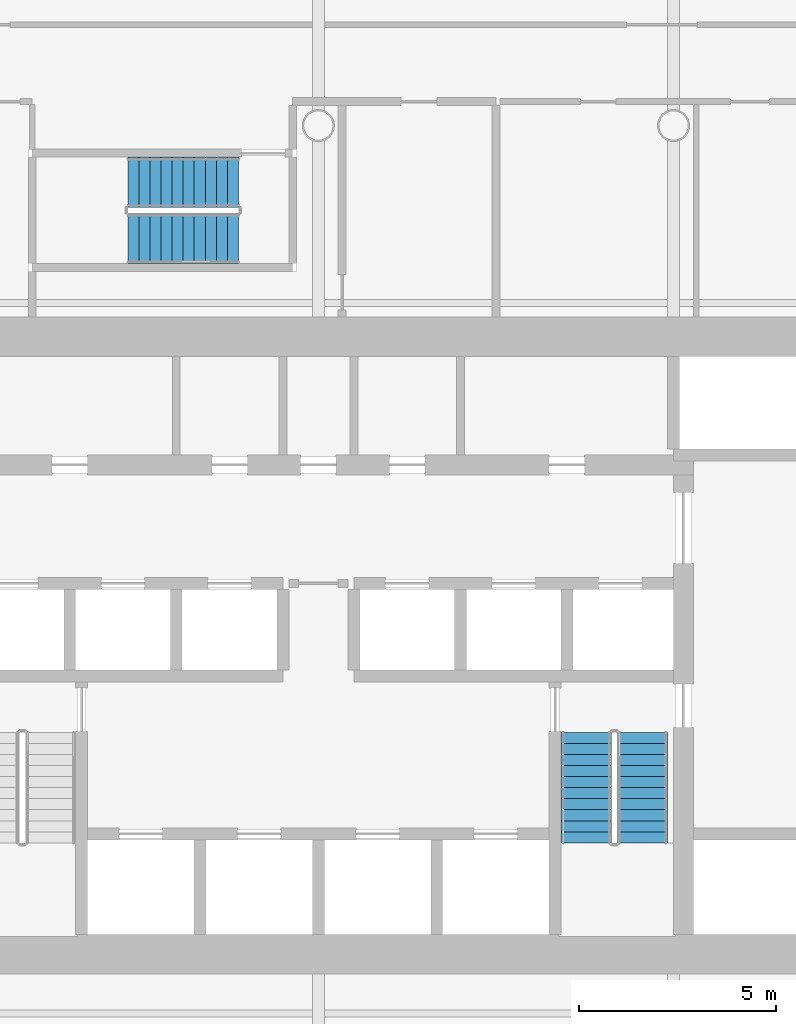
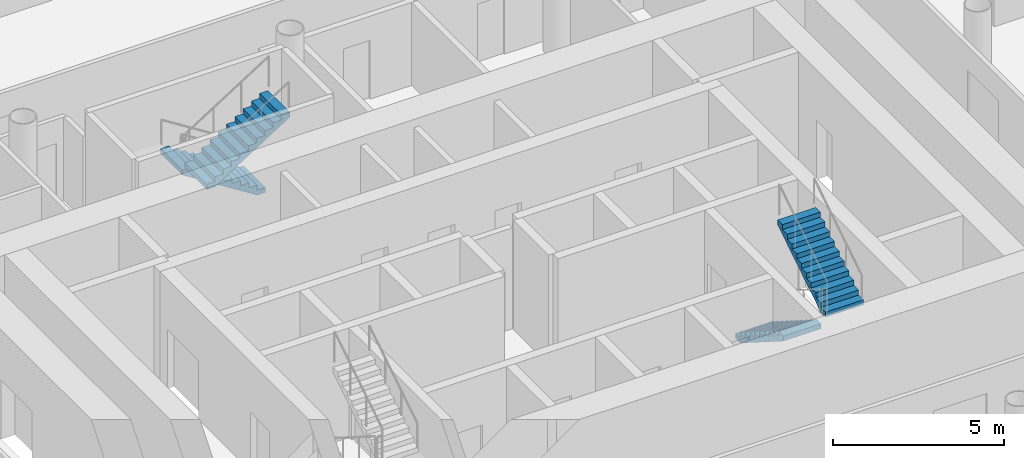
# One storey, part 14 of 19: 4 stair flights, 2 elements without a shape of their own.
"""IFC4 building model written with IfcOpenShell, lengths in metres."""

from ifc_helpers import new_model, si_unit, direction, frame, origin, place, context, subcontext, project, spatial, polyline, outline, extrude, material, type_object, element, aggregate, save


model = new_model("IFC4")

# Units and contexts
model_context = context("Model", 3, precision=1e-05, world=origin(), true_north=direction((0.0, 1.0)))
body_context = subcontext(model_context, "Body", "Model", "MODEL_VIEW")
ifc_project = project(units=[si_unit("LENGTHUNIT", "METRE"), si_unit("AREAUNIT", "SQUARE_METRE"), si_unit("VOLUMEUNIT", "CUBIC_METRE"), si_unit("PLANEANGLEUNIT", "RADIAN"), si_unit("MASSUNIT", "GRAM", prefix="KILO")], contexts=[model_context])

# Site, building, storey
site_placement = place(None, origin())
site = spatial("IfcSite", under=ifc_project, at=site_placement, CompositionType="ELEMENT")
building_placement = place(site_placement, origin())
building = spatial("IfcBuilding", under=site, at=building_placement, Name="Tskaro Facet Tower", CompositionType="ELEMENT")
storey_placement = place(building_placement, frame((0.0, 0.0, 89.39990234375)))
storey = spatial("IfcBuildingStorey", under=building, at=storey_placement, Name="L21", CompositionType="ELEMENT", Elevation=89.39990234375)

# Stair, stair flights
ifc_material = material(Name="Concrete C40/50", Category="concrete")
stair_type = type_object("IfcStairType", Name="ST-TWR", PredefinedType="HALF_TURN_STAIR", material=ifc_material)
stair_1_placement = place(storey_placement, origin())
stair_1 = element("IfcStair", 1, at=stair_1_placement, inside=storey, type_object=stair_type, Name="L21 Exit stair 2", PredefinedType="HALF_TURN_STAIR")
stair_flight_type = type_object("IfcStairFlightType", Name="SFL-RC", PredefinedType="STRAIGHT", material=ifc_material)
stair_flight_1_placement = place(storey_placement, frame((6.78759765625, -6.375, 0.0), z_axis=(0.0, 0.0, 1.0), x_axis=(0.0, -1.0, 0.0)))
stair_flight_1 = element("IfcStairFlight", 2, at=stair_flight_1_placement, type_object=stair_flight_type, Name="ST-2 flight 1", NumberOfRisers=11, NumberOfTreads=10, PredefinedType="STRAIGHT", RiserHeight=0.177272727, TreadLength=0.28, context=body_context, shape_type="SweptSolid", body=[
    extrude(outline(polyline([(0.0, 0.0), (0.0, 0.17724609375), (0.280029296875, 0.17724609375), (0.280029296875, 0.3544921875), (0.56005859375, 0.3544921875), (0.56005859375, 0.53173828125), (0.840087890625, 0.53173828125), (0.840087890625, 0.708984375), (1.1201171875, 0.708984375), (1.1201171875, 0.886474609375), (1.39990234375, 0.886474609375), (1.39990234375, 1.063720703125), (1.679931640625, 1.063720703125), (1.679931640625, 1.240966796875), (1.9599609375, 1.240966796875), (1.9599609375, 1.418212890625), (2.239990234375, 1.418212890625), (2.239990234375, 1.595458984375), (2.52001953125, 1.595458984375), (2.52001953125, 1.772705078125), (2.800048828125, 1.772705078125), (2.800048828125, 1.949951171875), (2.800048828125, 1.59521484375), (0.2802734375, 0.0), (0.0, 0.0)])), frame((0.0, 0.637451171875, 0.0), z_axis=(0.0, -1.0, 0.0), x_axis=(1.0, 0.0, 0.0)), (0.0, 0.0, 1.0), 1.27490234375),
])
stair_flight_2_placement = place(storey_placement, frame((8.21240234375, -9.175048828125, 1.9501953125), z_axis=(0.0, 0.0, 1.0), x_axis=(0.0, 1.0, 0.0)))
stair_flight_2 = element("IfcStairFlight", 3, at=stair_flight_2_placement, type_object=stair_flight_type, Name="ST-2 flight 2", NumberOfRisers=11, NumberOfTreads=10, PredefinedType="STRAIGHT", RiserHeight=0.177272727, TreadLength=0.28, context=body_context, shape_type="SweptSolid", body=[
    extrude(outline(polyline([(0.0, 0.0), (0.0, 0.17724609375), (0.280029296875, 0.17724609375), (0.280029296875, 0.3544921875), (0.56005859375, 0.3544921875), (0.56005859375, 0.53173828125), (0.840087890625, 0.53173828125), (0.840087890625, 0.708984375), (1.1201171875, 0.708984375), (1.1201171875, 0.886474609375), (1.39990234375, 0.886474609375), (1.39990234375, 1.063720703125), (1.679931640625, 1.063720703125), (1.679931640625, 1.240966796875), (1.9599609375, 1.240966796875), (1.9599609375, 1.418212890625), (2.239990234375, 1.418212890625), (2.239990234375, 1.595458984375), (2.52001953125, 1.595458984375), (2.52001953125, 1.772705078125), (2.800048828125, 1.772705078125), (2.800048828125, 1.949951171875), (2.800048828125, 1.59521484375), (0.2802734375, 0.0), (0.0, 0.0)])), frame((0.0, 0.637451171875, 0.0), z_axis=(0.0, -1.0, 0.0), x_axis=(1.0, 0.0, 0.0)), (0.0, 0.0, 1.0), 1.27490234375),
])
aggregate(stair_1, [stair_flight_1, stair_flight_2])

stair_2_placement = place(storey_placement, origin())
stair_2 = element("IfcStair", 4, at=stair_2_placement, inside=storey, type_object=stair_type, Name="L21 Exit stair 3", PredefinedType="HALF_TURN_STAIR")
stair_flight_3_placement = place(storey_placement, frame((-2.02490234375, 7.5625, 0.0), z_axis=(0.0, 0.0, 1.0), x_axis=(-1.0, 0.0, 0.0)))
stair_flight_3 = element("IfcStairFlight", 5, at=stair_flight_3_placement, type_object=stair_flight_type, Name="ST-3 flight 1", NumberOfRisers=11, NumberOfTreads=10, PredefinedType="STRAIGHT", RiserHeight=0.177272727, TreadLength=0.28, context=body_context, shape_type="SweptSolid", body=[
    extrude(outline(polyline([(0.0, 0.0), (0.0, 0.17724609375), (0.280029296875, 0.17724609375), (0.280029296875, 0.3544921875), (0.56005859375, 0.3544921875), (0.56005859375, 0.53173828125), (0.840087890625, 0.53173828125), (0.840087890625, 0.708984375), (1.1201171875, 0.708984375), (1.1201171875, 0.886474609375), (1.39990234375, 0.886474609375), (1.39990234375, 1.063720703125), (1.679931640625, 1.063720703125), (1.679931640625, 1.240966796875), (1.9599609375, 1.240966796875), (1.9599609375, 1.418212890625), (2.239990234375, 1.418212890625), (2.239990234375, 1.595458984375), (2.52001953125, 1.595458984375), (2.52001953125, 1.772705078125), (2.800048828125, 1.772705078125), (2.800048828125, 1.949951171875), (2.800048828125, 1.59521484375), (0.2802734375, 0.0), (0.0, 0.0)])), frame((0.0, 0.637451171875, 0.0), z_axis=(0.0, -1.0, 0.0), x_axis=(1.0, 0.0, 0.0)), (0.0, 0.0, 1.0), 1.27490234375),
])
stair_flight_4_placement = place(storey_placement, frame((-4.824951171875, 6.137451171875, 1.9501953125), z_axis=(0.0, 0.0, 1.0), x_axis=(1.0, 0.0, 0.0)))
stair_flight_4 = element("IfcStairFlight", 6, at=stair_flight_4_placement, type_object=stair_flight_type, Name="ST-3 flight 2", NumberOfRisers=11, NumberOfTreads=10, PredefinedType="STRAIGHT", RiserHeight=0.177272727, TreadLength=0.28, context=body_context, shape_type="SweptSolid", body=[
    extrude(outline(polyline([(0.0, 0.0), (0.0, 0.17724609375), (0.280029296875, 0.17724609375), (0.280029296875, 0.3544921875), (0.56005859375, 0.3544921875), (0.56005859375, 0.53173828125), (0.840087890625, 0.53173828125), (0.840087890625, 0.708984375), (1.1201171875, 0.708984375), (1.1201171875, 0.886474609375), (1.39990234375, 0.886474609375), (1.39990234375, 1.063720703125), (1.679931640625, 1.063720703125), (1.679931640625, 1.240966796875), (1.9599609375, 1.240966796875), (1.9599609375, 1.418212890625), (2.239990234375, 1.418212890625), (2.239990234375, 1.595458984375), (2.52001953125, 1.595458984375), (2.52001953125, 1.772705078125), (2.800048828125, 1.772705078125), (2.800048828125, 1.949951171875), (2.800048828125, 1.59521484375), (0.2802734375, 0.0), (0.0, 0.0)])), frame((0.0, 0.637451171875, 0.0), z_axis=(0.0, -1.0, 0.0), x_axis=(1.0, 0.0, 0.0)), (0.0, 0.0, 1.0), 1.27490234375),
])
aggregate(stair_2, [stair_flight_3, stair_flight_4])

save(model, "model.ifc")
